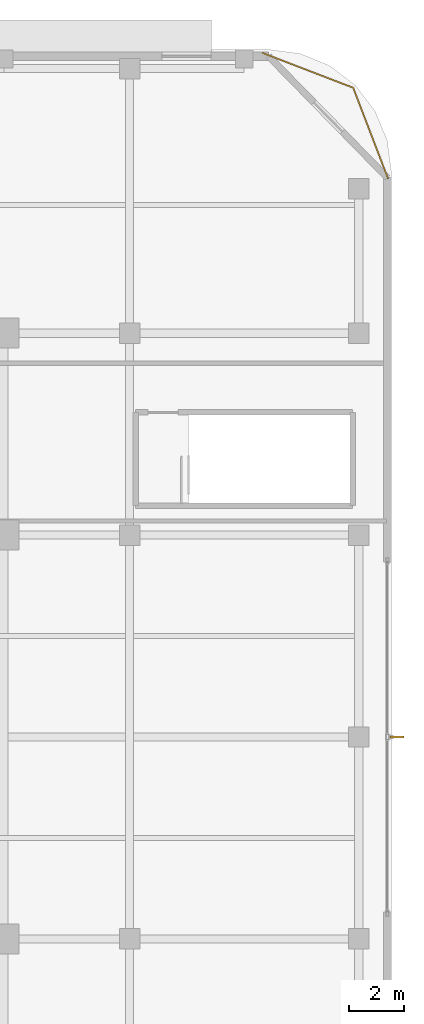
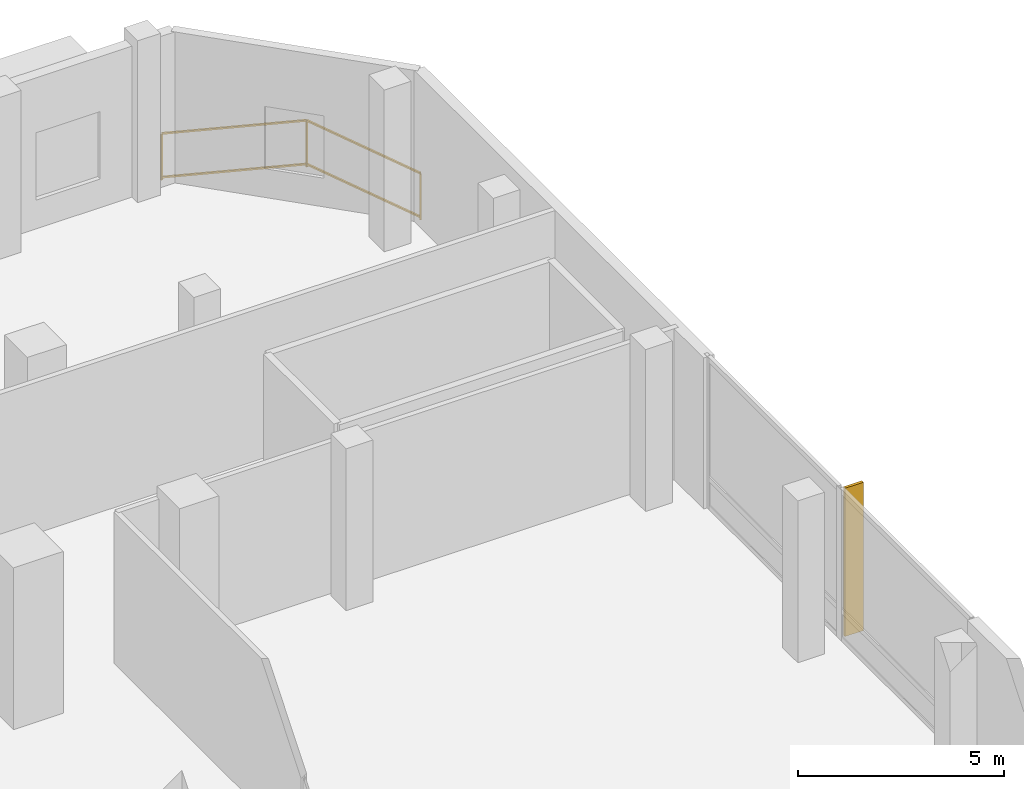
# One storey, part 19 of 19: 1 railing, 1 shading device.
"""IFC4 building model written with IfcOpenShell, lengths in metres."""

from ifc_helpers import new_model, si_unit, direction, frame, origin, origin_2d, place, context, subcontext, project, spatial, rectangle, extrude, material, layer, layer_set, type_object, element, save


model = new_model("IFC4")

# Units and contexts
model_context = context("Model", 3, precision=1e-05, world=origin(), true_north=direction((0.0, 1.0)))
body_context = subcontext(model_context, "Body", "Model", "MODEL_VIEW")
ifc_project = project(units=[si_unit("LENGTHUNIT", "METRE"), si_unit("AREAUNIT", "SQUARE_METRE"), si_unit("VOLUMEUNIT", "CUBIC_METRE"), si_unit("PLANEANGLEUNIT", "RADIAN"), si_unit("MASSUNIT", "GRAM", prefix="KILO")], contexts=[model_context])

# Site, building, storey
site_placement = place(None, origin())
site = spatial("IfcSite", under=ifc_project, at=site_placement, CompositionType="ELEMENT")
building_placement = place(site_placement, origin())
building = spatial("IfcBuilding", under=site, at=building_placement, Name="Khorvyn Point Tower", CompositionType="ELEMENT")
storey_placement = place(building_placement, frame((0.0, 0.0, 21.60009765625)))
storey = spatial("IfcBuildingStorey", under=building, at=storey_placement, Name="L06", CompositionType="ELEMENT", Elevation=21.60009765625)

# Shading device
ifc_material_1 = material(Name="Bronze anodised aluminium 6063-T6", Category="aluminium")
ifc_layer = layer(ifc_material_1, 0.074951171875)
ifc_layer_set = layer_set([ifc_layer], Name="Bronze Anodised Aluminium FIN 520x75")
shading_device_type = type_object("IfcShadingDeviceType", Name="Bronze Anodised Aluminium FIN 520x75", PredefinedType="USERDEFINED", material=ifc_layer_set)
shading_device_placement = place(storey_placement, frame((33.800048828125, 0.0, 0.0400390625), z_axis=(0.0, 0.0, 1.0), x_axis=(1.0, 0.0, 0.0)))
element("IfcShadingDevice", 1, at=shading_device_placement, inside=storey, type_object=shading_device_type, Name="L06 Anodised FIN 01", ObjectType="FIN", PredefinedType="USERDEFINED", context=body_context, shape_type="SweptSolid", body=[
    extrude(rectangle(XDim=0.52001953125, YDim=0.074951171875, at=origin_2d()), origin(), (0.0, 0.0, 1.0), 4.39990234375),
])

# Railing
ifc_material_2 = material(Name="Anodised aluminium 6063-T6 and laminated safety glass", Category="aluminium")
railing_type = type_object("IfcRailingType", Name="Laminated Glass and Aluminium Balcony Guardrail 1400", PredefinedType="BALUSTRADE", material=ifc_material_2)
railing_placement = place(storey_placement, frame((33.47412109375, 20.470703125, 0.0)))
element("IfcRailing", 2, at=railing_placement, inside=storey, type_object=railing_type, Name="L06 Rounded Corner Edge Guardrail NE", PredefinedType="BALUSTRADE", context=body_context, shape_type="SweptSolid", body=[
    extrude(rectangle(XDim=0.048095703125, YDim=0.048095703125, at=origin_2d()), frame((0.0, 0.0, 1.3759765625), z_axis=(-0.35841886047, 0.933560882031, 0.0), x_axis=(-0.933560882031, -0.35841886047, 0.0)), (0.0, 0.0, 1.0), 3.563232421875),
    extrude(rectangle(XDim=0.048095703125, YDim=0.048095703125, at=origin_2d()), frame((0.0, 0.0, 0.080078125), z_axis=(-0.35841886047, 0.933560882031, 0.0), x_axis=(-0.933560882031, -0.35841886047, 0.0)), (0.0, 0.0, 1.0), 3.563232421875),
    extrude(rectangle(XDim=0.048095703125, YDim=0.048095703125, at=origin_2d()), frame((-1.277099609375, 3.326416015625, 1.3759765625), z_axis=(-0.933575007025, 0.358382067435, 0.0), x_axis=(-0.358382067435, -0.933575007025, 0.0)), (0.0, 0.0, 1.0), 3.562744140625),
    extrude(rectangle(XDim=0.048095703125, YDim=0.048095703125, at=origin_2d()), frame((-1.277099609375, 3.326416015625, 0.080078125), z_axis=(-0.933575007025, 0.358382067435, 0.0), x_axis=(-0.358382067435, -0.933575007025, 0.0)), (0.0, 0.0, 1.0), 3.562744140625),
    extrude(rectangle(XDim=0.0419921875, YDim=0.0419921875, at=origin_2d()), origin(), (0.0, 0.0, 1.0), 1.351806640625),
    extrude(rectangle(XDim=0.0419921875, YDim=0.0419921875, at=origin_2d()), frame((-1.277099609375, 3.326416015625, 0.0)), (0.0, 0.0, 1.0), 1.351806640625),
    extrude(rectangle(XDim=0.0419921875, YDim=0.0419921875, at=origin_2d()), frame((-4.603271484375, 4.603271484375, 0.0)), (0.0, 0.0, 1.0), 1.351806640625),
])

save(model, "model.ifc")
